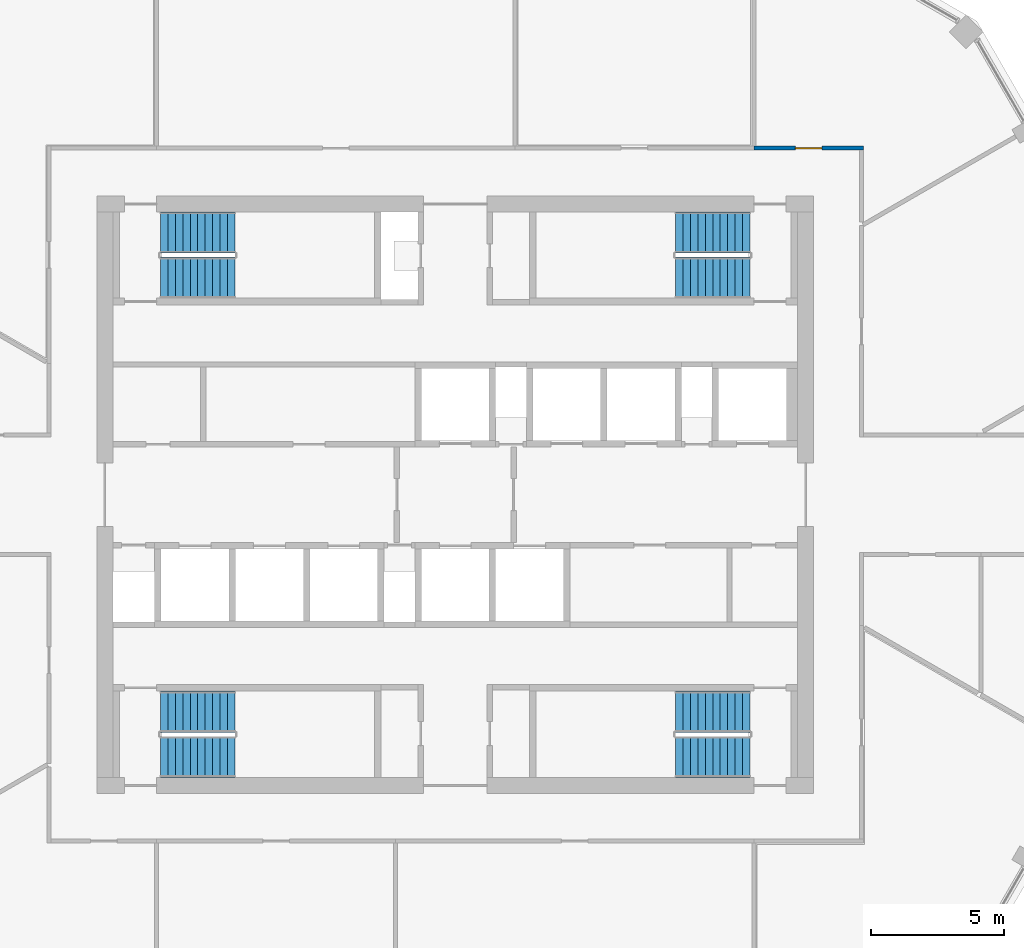
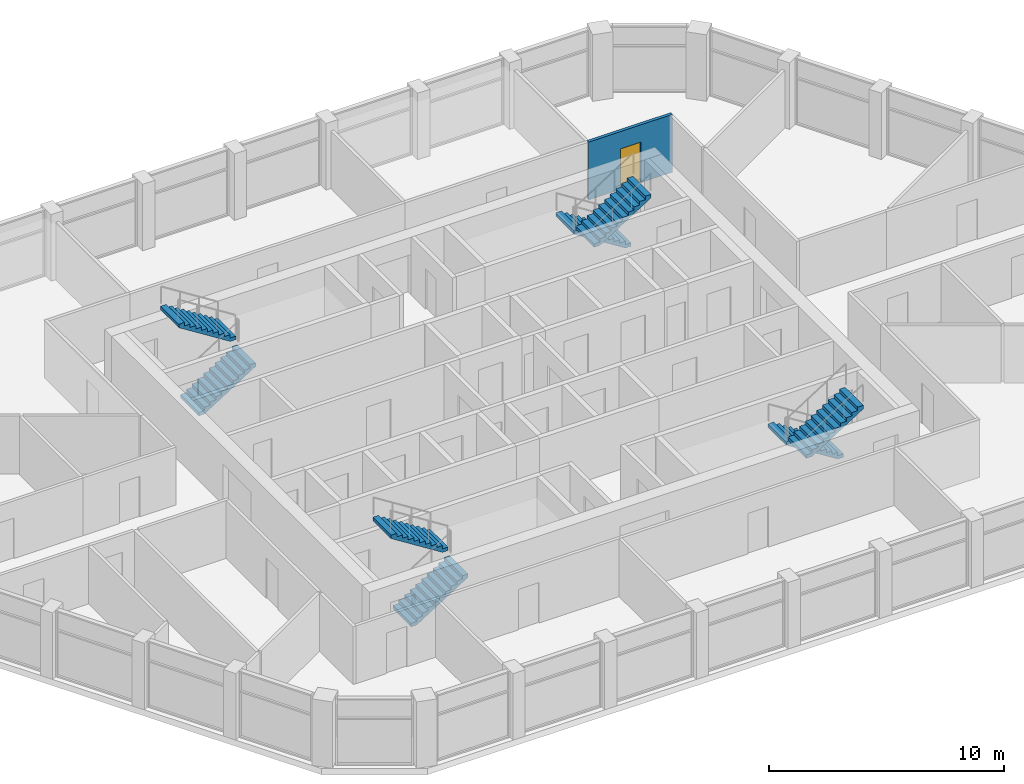
# One storey, part 12 of 15: 8 stair flights, 1 door, 1 wall, 1 opening, 4 elements without a shape of their own.
"""IFC4 building model written with IfcOpenShell, lengths in metres."""

from ifc_helpers import new_model, si_unit, direction, frame, frame_2d, origin, place, context, subcontext, project, spatial, polyline, rectangle, outline, extrude, material, layer, layer_set, type_object, element, fill, aggregate, save


model = new_model("IFC4")

# Units and contexts
model_context = context("Model", 3, precision=1e-05, world=origin(), true_north=direction((0.0, 1.0)))
body_context = subcontext(model_context, "Body", "Model", "MODEL_VIEW")
ifc_project = project(units=[si_unit("LENGTHUNIT", "METRE"), si_unit("AREAUNIT", "SQUARE_METRE"), si_unit("VOLUMEUNIT", "CUBIC_METRE"), si_unit("PLANEANGLEUNIT", "RADIAN"), si_unit("MASSUNIT", "GRAM", prefix="KILO")], contexts=[model_context])

# Site, building, storey
site_placement = place(None, origin())
site = spatial("IfcSite", under=ifc_project, at=site_placement, CompositionType="ELEMENT")
building_placement = place(site_placement, origin())
building = spatial("IfcBuilding", under=site, at=building_placement, Name="Dhurran Vertical Campus", CompositionType="ELEMENT")
storey_placement = place(building_placement, frame((0.0, 0.0, 306.0)))
storey = spatial("IfcBuildingStorey", under=building, at=storey_placement, Name="L76", CompositionType="ELEMENT", Elevation=306.0)

# Wall, opening, door
ifc_material_1 = material(Name="Gypsum board corridor wall on steel studs", Category="steel")
ifc_layer = layer(ifc_material_1, 0.14990234375)
ifc_layer_set = layer_set([ifc_layer], Name="Gypsum board corridor wall on steel studs")
wall_type = type_object("IfcWallType", Name="fl-CW-150 corridor wall", PredefinedType="PARTITIONING", material=ifc_layer_set)
wall_placement = place(storey_placement, frame((15.375, 13.050048828125, 0.0), z_axis=(0.0, 0.0, 1.0), x_axis=(-1.0, 0.0, 0.0)))
wall = element("IfcWall", 1, at=wall_placement, inside=storey, type_object=wall_type, Name="Partition 76-31", PredefinedType="PARTITIONING", context=body_context, shape_type="SweptSolid", body=[
    extrude(rectangle(XDim=4.125, YDim=0.14990234375, at=frame_2d((2.0625, 0.0))), origin(), (0.0, 0.0, 1.0), 3.0),
])
opening_placement = place(wall_placement, frame((1.5625, 0.0, 0.0)))
opening = element("IfcOpeningElement", 2, at=opening_placement, cuts=wall, Name="Opening T22.12", PredefinedType="OPENING", context=body_context, shape_type="SweptSolid", body=[
    extrude(rectangle(XDim=1.0, YDim=2.10009765625, at=frame_2d((0.5, 1.050048828125))), frame((0.0, 0.0849609375, 0.0), z_axis=(0.0, -1.0, 0.0), x_axis=(1.0, 0.0, 0.0)), (0.0, 0.0, 1.0), 0.169921875),
])
ifc_material_2 = material(Name="Solid-core timber door set, fire-rated", Category="wood")
door_type = type_object("IfcDoorType", Name="fl-D-1000x2100", OperationType="SINGLE_SWING_LEFT", PredefinedType="DOOR", material=ifc_material_2)
door_placement = place(opening_placement, origin())
door = element("IfcDoor", 3, at=door_placement, inside=storey, type_object=door_type, Name="Door 76.12", OperationType="SINGLE_SWING_RIGHT", OverallHeight=2.10009765625, OverallWidth=1.0, PredefinedType="DOOR", context=body_context, shape_type="SweptSolid", body=[
    extrude(rectangle(XDim=1.0, YDim=2.10009765625, at=frame_2d((0.5, 1.050048828125))), frame((0.0, 0.02490234375, 0.0), z_axis=(0.0, -1.0, 0.0), x_axis=(1.0, 0.0, 0.0)), (0.0, 0.0, 1.0), 0.050048828125),
])
fill(opening, door)

# Stair, stair flights
ifc_material_3 = material(Name="Concrete C40/50", Category="concrete")
stair_type = type_object("IfcStairType", Name="co-ST-CORE", PredefinedType="HALF_TURN_STAIR", material=ifc_material_3)
stair_1_placement = place(storey_placement, origin())
stair_1 = element("IfcStair", 4, at=stair_1_placement, inside=storey, type_object=stair_type, Name="L76 Protected exit stair ST1", PredefinedType="HALF_TURN_STAIR")
ifc_material_4 = material(Name="Concrete C40/50", Category="concrete")
stair_flight_type = type_object("IfcStairFlightType", Name="co-SFL-RC", PredefinedType="STRAIGHT", material=ifc_material_4)
stair_flight_1_placement = place(storey_placement, frame((-11.10009765625, 8.175048828125, 0.0), z_axis=(0.0, 0.0, 1.0), x_axis=(1.0, 0.0, 0.0)))
stair_flight_1 = element("IfcStairFlight", 5, at=stair_flight_1_placement, type_object=stair_flight_type, Name="ST1 flight 1", NumberOfRisers=11, NumberOfTreads=10, PredefinedType="STRAIGHT", RiserHeight=0.177272727, TreadLength=0.28, context=body_context, shape_type="SweptSolid", body=[
    extrude(outline(polyline([(0.0, 0.0), (0.0, 0.17724609375), (0.280029296875, 0.17724609375), (0.280029296875, 0.3544921875), (0.56005859375, 0.3544921875), (0.56005859375, 0.53173828125), (0.840087890625, 0.53173828125), (0.840087890625, 0.708984375), (1.1201171875, 0.708984375), (1.1201171875, 0.886474609375), (1.39990234375, 0.886474609375), (1.39990234375, 1.063720703125), (1.679931640625, 1.063720703125), (1.679931640625, 1.240966796875), (1.9599609375, 1.240966796875), (1.9599609375, 1.418212890625), (2.239990234375, 1.418212890625), (2.239990234375, 1.595458984375), (2.52001953125, 1.595458984375), (2.52001953125, 1.772705078125), (2.800048828125, 1.772705078125), (2.800048828125, 1.949951171875), (2.800048828125, 1.59521484375), (0.2802734375, 0.0), (0.0, 0.0)])), frame((0.0, 0.77490234375, 0.0), z_axis=(0.0, -1.0, 0.0), x_axis=(1.0, 0.0, 0.0)), (0.0, 0.0, 1.0), 1.550048828125),
])
stair_flight_2_placement = place(storey_placement, frame((-8.300048828125, 9.875, 1.949951171875), z_axis=(0.0, 0.0, 1.0), x_axis=(-1.0, 0.0, 0.0)))
stair_flight_2 = element("IfcStairFlight", 6, at=stair_flight_2_placement, type_object=stair_flight_type, Name="ST1 flight 2", NumberOfRisers=11, NumberOfTreads=10, PredefinedType="STRAIGHT", RiserHeight=0.177272727, TreadLength=0.28, context=body_context, shape_type="SweptSolid", body=[
    extrude(outline(polyline([(0.0, 0.0), (0.0, 0.17724609375), (0.280029296875, 0.17724609375), (0.280029296875, 0.3544921875), (0.56005859375, 0.3544921875), (0.56005859375, 0.53173828125), (0.840087890625, 0.53173828125), (0.840087890625, 0.708984375), (1.1201171875, 0.708984375), (1.1201171875, 0.886474609375), (1.39990234375, 0.886474609375), (1.39990234375, 1.063720703125), (1.679931640625, 1.063720703125), (1.679931640625, 1.240966796875), (1.9599609375, 1.240966796875), (1.9599609375, 1.418212890625), (2.239990234375, 1.418212890625), (2.239990234375, 1.595458984375), (2.52001953125, 1.595458984375), (2.52001953125, 1.772705078125), (2.800048828125, 1.772705078125), (2.800048828125, 1.949951171875), (2.800048828125, 1.59521484375), (0.2802734375, 0.0), (0.0, 0.0)])), frame((0.0, 0.77490234375, 0.0), z_axis=(0.0, -1.0, 0.0), x_axis=(1.0, 0.0, 0.0)), (0.0, 0.0, 1.0), 1.550048828125),
])
aggregate(stair_1, [stair_flight_1, stair_flight_2])

stair_2_placement = place(storey_placement, origin())
stair_2 = element("IfcStair", 7, at=stair_2_placement, inside=storey, type_object=stair_type, Name="L76 Protected exit stair ST2", PredefinedType="HALF_TURN_STAIR")
stair_flight_3_placement = place(storey_placement, frame((11.10009765625, 9.875, 0.0), z_axis=(0.0, 0.0, 1.0), x_axis=(-1.0, 0.0, 0.0)))
stair_flight_3 = element("IfcStairFlight", 8, at=stair_flight_3_placement, type_object=stair_flight_type, Name="ST2 flight 1", NumberOfRisers=11, NumberOfTreads=10, PredefinedType="STRAIGHT", RiserHeight=0.177272727, TreadLength=0.28, context=body_context, shape_type="SweptSolid", body=[
    extrude(outline(polyline([(0.0, 0.0), (0.0, 0.17724609375), (0.280029296875, 0.17724609375), (0.280029296875, 0.3544921875), (0.56005859375, 0.3544921875), (0.56005859375, 0.53173828125), (0.840087890625, 0.53173828125), (0.840087890625, 0.708984375), (1.1201171875, 0.708984375), (1.1201171875, 0.886474609375), (1.39990234375, 0.886474609375), (1.39990234375, 1.063720703125), (1.679931640625, 1.063720703125), (1.679931640625, 1.240966796875), (1.9599609375, 1.240966796875), (1.9599609375, 1.418212890625), (2.239990234375, 1.418212890625), (2.239990234375, 1.595458984375), (2.52001953125, 1.595458984375), (2.52001953125, 1.772705078125), (2.800048828125, 1.772705078125), (2.800048828125, 1.949951171875), (2.800048828125, 1.59521484375), (0.2802734375, 0.0), (0.0, 0.0)])), frame((0.0, 0.77490234375, 0.0), z_axis=(0.0, -1.0, 0.0), x_axis=(1.0, 0.0, 0.0)), (0.0, 0.0, 1.0), 1.550048828125),
])
stair_flight_4_placement = place(storey_placement, frame((8.300048828125, 8.175048828125, 1.949951171875), z_axis=(0.0, 0.0, 1.0), x_axis=(1.0, 0.0, 0.0)))
stair_flight_4 = element("IfcStairFlight", 9, at=stair_flight_4_placement, type_object=stair_flight_type, Name="ST2 flight 2", NumberOfRisers=11, NumberOfTreads=10, PredefinedType="STRAIGHT", RiserHeight=0.177272727, TreadLength=0.28, context=body_context, shape_type="SweptSolid", body=[
    extrude(outline(polyline([(0.0, 0.0), (0.0, 0.17724609375), (0.280029296875, 0.17724609375), (0.280029296875, 0.3544921875), (0.56005859375, 0.3544921875), (0.56005859375, 0.53173828125), (0.840087890625, 0.53173828125), (0.840087890625, 0.708984375), (1.1201171875, 0.708984375), (1.1201171875, 0.886474609375), (1.39990234375, 0.886474609375), (1.39990234375, 1.063720703125), (1.679931640625, 1.063720703125), (1.679931640625, 1.240966796875), (1.9599609375, 1.240966796875), (1.9599609375, 1.418212890625), (2.239990234375, 1.418212890625), (2.239990234375, 1.595458984375), (2.52001953125, 1.595458984375), (2.52001953125, 1.772705078125), (2.800048828125, 1.772705078125), (2.800048828125, 1.949951171875), (2.800048828125, 1.59521484375), (0.2802734375, 0.0), (0.0, 0.0)])), frame((0.0, 0.77490234375, 0.0), z_axis=(0.0, -1.0, 0.0), x_axis=(1.0, 0.0, 0.0)), (0.0, 0.0, 1.0), 1.550048828125),
])
aggregate(stair_2, [stair_flight_3, stair_flight_4])

stair_3_placement = place(storey_placement, origin())
stair_3 = element("IfcStair", 10, at=stair_3_placement, inside=storey, type_object=stair_type, Name="L76 Protected exit stair ST3", PredefinedType="HALF_TURN_STAIR")
stair_flight_5_placement = place(storey_placement, frame((-11.10009765625, -9.875, 0.0), z_axis=(0.0, 0.0, 1.0), x_axis=(1.0, 0.0, 0.0)))
stair_flight_5 = element("IfcStairFlight", 11, at=stair_flight_5_placement, type_object=stair_flight_type, Name="ST3 flight 1", NumberOfRisers=11, NumberOfTreads=10, PredefinedType="STRAIGHT", RiserHeight=0.177272727, TreadLength=0.28, context=body_context, shape_type="SweptSolid", body=[
    extrude(outline(polyline([(0.0, 0.0), (0.0, 0.17724609375), (0.280029296875, 0.17724609375), (0.280029296875, 0.3544921875), (0.56005859375, 0.3544921875), (0.56005859375, 0.53173828125), (0.840087890625, 0.53173828125), (0.840087890625, 0.708984375), (1.1201171875, 0.708984375), (1.1201171875, 0.886474609375), (1.39990234375, 0.886474609375), (1.39990234375, 1.063720703125), (1.679931640625, 1.063720703125), (1.679931640625, 1.240966796875), (1.9599609375, 1.240966796875), (1.9599609375, 1.418212890625), (2.239990234375, 1.418212890625), (2.239990234375, 1.595458984375), (2.52001953125, 1.595458984375), (2.52001953125, 1.772705078125), (2.800048828125, 1.772705078125), (2.800048828125, 1.949951171875), (2.800048828125, 1.59521484375), (0.2802734375, 0.0), (0.0, 0.0)])), frame((0.0, 0.77490234375, 0.0), z_axis=(0.0, -1.0, 0.0), x_axis=(1.0, 0.0, 0.0)), (0.0, 0.0, 1.0), 1.550048828125),
])
stair_flight_6_placement = place(storey_placement, frame((-8.300048828125, -8.175048828125, 1.949951171875), z_axis=(0.0, 0.0, 1.0), x_axis=(-1.0, 0.0, 0.0)))
stair_flight_6 = element("IfcStairFlight", 12, at=stair_flight_6_placement, type_object=stair_flight_type, Name="ST3 flight 2", NumberOfRisers=11, NumberOfTreads=10, PredefinedType="STRAIGHT", RiserHeight=0.177272727, TreadLength=0.28, context=body_context, shape_type="SweptSolid", body=[
    extrude(outline(polyline([(0.0, 0.0), (0.0, 0.17724609375), (0.280029296875, 0.17724609375), (0.280029296875, 0.3544921875), (0.56005859375, 0.3544921875), (0.56005859375, 0.53173828125), (0.840087890625, 0.53173828125), (0.840087890625, 0.708984375), (1.1201171875, 0.708984375), (1.1201171875, 0.886474609375), (1.39990234375, 0.886474609375), (1.39990234375, 1.063720703125), (1.679931640625, 1.063720703125), (1.679931640625, 1.240966796875), (1.9599609375, 1.240966796875), (1.9599609375, 1.418212890625), (2.239990234375, 1.418212890625), (2.239990234375, 1.595458984375), (2.52001953125, 1.595458984375), (2.52001953125, 1.772705078125), (2.800048828125, 1.772705078125), (2.800048828125, 1.949951171875), (2.800048828125, 1.59521484375), (0.2802734375, 0.0), (0.0, 0.0)])), frame((0.0, 0.77490234375, 0.0), z_axis=(0.0, -1.0, 0.0), x_axis=(1.0, 0.0, 0.0)), (0.0, 0.0, 1.0), 1.550048828125),
])
aggregate(stair_3, [stair_flight_5, stair_flight_6])

stair_4_placement = place(storey_placement, origin())
stair_4 = element("IfcStair", 13, at=stair_4_placement, inside=storey, type_object=stair_type, Name="L76 Protected exit stair ST4", PredefinedType="HALF_TURN_STAIR")
stair_flight_7_placement = place(storey_placement, frame((11.10009765625, -8.175048828125, 0.0), z_axis=(0.0, 0.0, 1.0), x_axis=(-1.0, 0.0, 0.0)))
stair_flight_7 = element("IfcStairFlight", 14, at=stair_flight_7_placement, type_object=stair_flight_type, Name="ST4 flight 1", NumberOfRisers=11, NumberOfTreads=10, PredefinedType="STRAIGHT", RiserHeight=0.177272727, TreadLength=0.28, context=body_context, shape_type="SweptSolid", body=[
    extrude(outline(polyline([(0.0, 0.0), (0.0, 0.17724609375), (0.280029296875, 0.17724609375), (0.280029296875, 0.3544921875), (0.56005859375, 0.3544921875), (0.56005859375, 0.53173828125), (0.840087890625, 0.53173828125), (0.840087890625, 0.708984375), (1.1201171875, 0.708984375), (1.1201171875, 0.886474609375), (1.39990234375, 0.886474609375), (1.39990234375, 1.063720703125), (1.679931640625, 1.063720703125), (1.679931640625, 1.240966796875), (1.9599609375, 1.240966796875), (1.9599609375, 1.418212890625), (2.239990234375, 1.418212890625), (2.239990234375, 1.595458984375), (2.52001953125, 1.595458984375), (2.52001953125, 1.772705078125), (2.800048828125, 1.772705078125), (2.800048828125, 1.949951171875), (2.800048828125, 1.59521484375), (0.2802734375, 0.0), (0.0, 0.0)])), frame((0.0, 0.77490234375, 0.0), z_axis=(0.0, -1.0, 0.0), x_axis=(1.0, 0.0, 0.0)), (0.0, 0.0, 1.0), 1.550048828125),
])
stair_flight_8_placement = place(storey_placement, frame((8.300048828125, -9.875, 1.949951171875), z_axis=(0.0, 0.0, 1.0), x_axis=(1.0, 0.0, 0.0)))
stair_flight_8 = element("IfcStairFlight", 15, at=stair_flight_8_placement, type_object=stair_flight_type, Name="ST4 flight 2", NumberOfRisers=11, NumberOfTreads=10, PredefinedType="STRAIGHT", RiserHeight=0.177272727, TreadLength=0.28, context=body_context, shape_type="SweptSolid", body=[
    extrude(outline(polyline([(0.0, 0.0), (0.0, 0.17724609375), (0.280029296875, 0.17724609375), (0.280029296875, 0.3544921875), (0.56005859375, 0.3544921875), (0.56005859375, 0.53173828125), (0.840087890625, 0.53173828125), (0.840087890625, 0.708984375), (1.1201171875, 0.708984375), (1.1201171875, 0.886474609375), (1.39990234375, 0.886474609375), (1.39990234375, 1.063720703125), (1.679931640625, 1.063720703125), (1.679931640625, 1.240966796875), (1.9599609375, 1.240966796875), (1.9599609375, 1.418212890625), (2.239990234375, 1.418212890625), (2.239990234375, 1.595458984375), (2.52001953125, 1.595458984375), (2.52001953125, 1.772705078125), (2.800048828125, 1.772705078125), (2.800048828125, 1.949951171875), (2.800048828125, 1.59521484375), (0.2802734375, 0.0), (0.0, 0.0)])), frame((0.0, 0.77490234375, 0.0), z_axis=(0.0, -1.0, 0.0), x_axis=(1.0, 0.0, 0.0)), (0.0, 0.0, 1.0), 1.550048828125),
])
aggregate(stair_4, [stair_flight_7, stair_flight_8])

save(model, "model.ifc")
